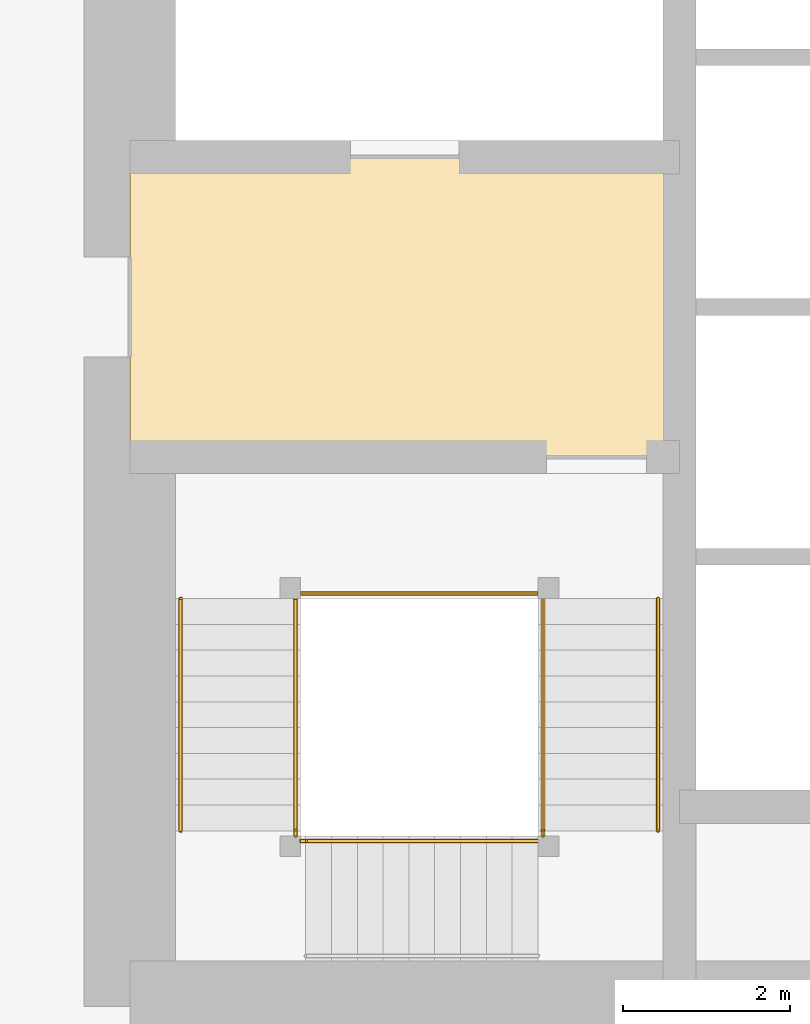
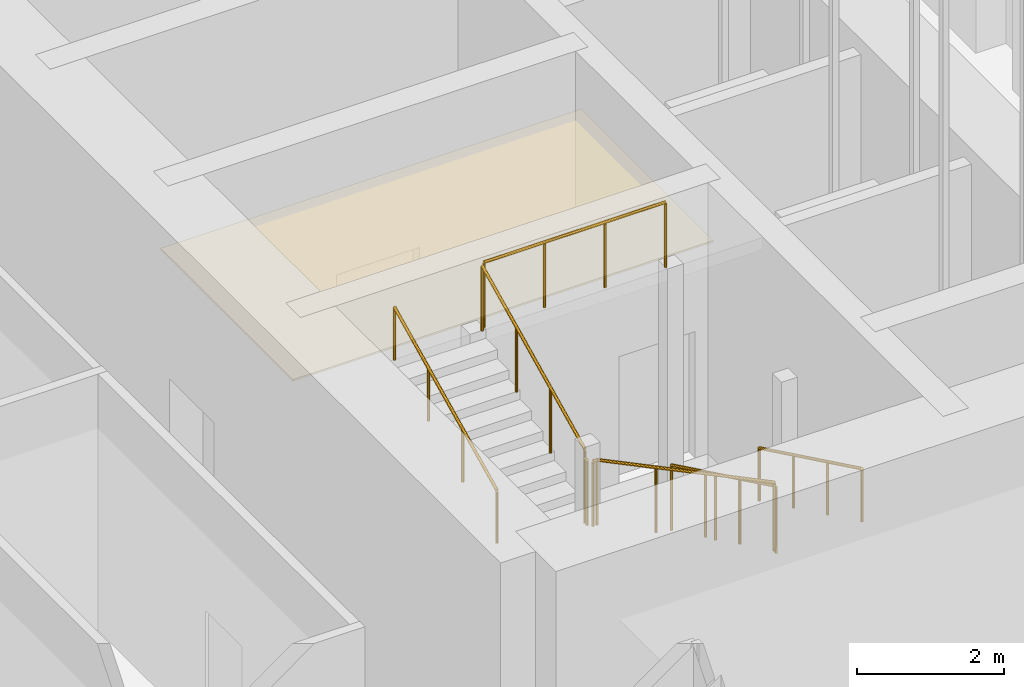
# One storey, part 20 of 39: 9 railings, 1 covering.
"""IFC4 building model written with IfcOpenShell, lengths in metres."""

from ifc_helpers import new_model, si_unit, direction, frame, origin, origin_2d, place, context, subcontext, project, spatial, polyline, circle, outline, extrude, material, layer, layer_set, type_object, element, save


model = new_model("IFC4")

# Units and contexts
model_context = context("Model", 3, precision=1e-05, world=origin(), true_north=direction((0.0, 1.0)))
body_context = subcontext(model_context, "Body", "Model", "MODEL_VIEW")
ifc_project = project(units=[si_unit("LENGTHUNIT", "METRE"), si_unit("AREAUNIT", "SQUARE_METRE"), si_unit("VOLUMEUNIT", "CUBIC_METRE"), si_unit("PLANEANGLEUNIT", "RADIAN"), si_unit("MASSUNIT", "GRAM", prefix="KILO")], contexts=[model_context])

# Site, building, storey
site_placement = place(None, origin())
site = spatial("IfcSite", under=ifc_project, at=site_placement, CompositionType="ELEMENT")
building_placement = place(site_placement, origin())
building = spatial("IfcBuilding", under=site, at=building_placement, Name="Rekha Terrace Tower", CompositionType="ELEMENT")
storey_placement = place(building_placement, frame((0.0, 0.0, 245.60009765625)))
storey = spatial("IfcBuildingStorey", under=building, at=storey_placement, Name="L62", CompositionType="ELEMENT", Elevation=245.60009765625)

# Covering
ifc_material_1 = material(Name="Powder-coated aluminium pan", Category="aluminium")
ifc_layer = layer(ifc_material_1, 0.030029296875)
ifc_layer_set = layer_set([ifc_layer], Name="Powder-coated aluminium pan")
covering_type = type_object("IfcCoveringType", Name="CL3 300x1200 metal pan ceiling", PredefinedType="CEILING", material=ifc_layer_set)
covering_placement = place(storey_placement, frame((0.0, 0.0, 3.31982421875)))
element("IfcCovering", 1, at=covering_placement, inside=storey, type_object=covering_type, Name="Ceiling L62-FLB1", PredefinedType="CEILING", context=body_context, shape_type="SweptSolid", body=[
    extrude(outline(polyline([(31.800048828125, 31.199951171875), (25.199951171875, 31.199951171875), (25.199951171875, 27.60009765625), (31.800048828125, 27.60009765625), (31.800048828125, 31.199951171875)])), origin(), (0.0, 0.0, 1.0), 0.030029296875),
])

# Railings
ifc_material_2 = material(Name="Stainless steel balustrade", Category="steel")
railing_type_1 = type_object("IfcRailingType", Name="GR1 1100 stair guard", PredefinedType="GUARDRAIL", material=ifc_material_2)
railing_1_placement = place(storey_placement, frame((30.159912109375, 25.89990234375, 0.14990234375)))
element("IfcRailing", 2, at=railing_1_placement, inside=storey, type_object=railing_type_1, Name="Guard ST1 L62 flight 1", PredefinedType="GUARDRAIL", context=body_context, shape_type="SweptSolid", body=[
    extrude(circle(Radius=0.02392578125, at=origin_2d()), frame((0.0, 0.0, 1.076171875), z_axis=(0.0, -0.900134342929, 0.43561240189), x_axis=(1.0, 0.0, 0.0)), (0.0, 0.0, 1.0), 3.099365234375),
    extrude(circle(Radius=0.02099609375, at=origin_2d()), origin(), (0.0, 0.0, 1.0), 1.052001953125),
    extrude(circle(Radius=0.02099609375, at=origin_2d()), frame((0.0, -0.929931640625, 0.449951171875)), (0.0, 0.0, 1.0), 1.052001953125),
    extrude(circle(Radius=0.02099609375, at=origin_2d()), frame((0.0, -1.85986328125, 0.900146484375)), (0.0, 0.0, 1.0), 1.052001953125),
    extrude(circle(Radius=0.02099609375, at=origin_2d()), frame((0.0, -2.789794921875, 1.35009765625)), (0.0, 0.0, 1.0), 1.052001953125),
])
railing_2_placement = place(storey_placement, frame((30.10009765625, 22.989990234375, 1.64990234375)))
element("IfcRailing", 3, at=railing_2_placement, inside=storey, type_object=railing_type_1, Name="Guard ST1 L62 flight 2", PredefinedType="GUARDRAIL", context=body_context, shape_type="SweptSolid", body=[
    extrude(circle(Radius=0.02392578125, at=origin_2d()), frame((0.0, 0.0, 1.076171875), z_axis=(-0.90014928908, 0.0, 0.43558151633), x_axis=(0.0, -1.0, 0.0)), (0.0, 0.0, 1.0), 3.099609375),
    extrude(circle(Radius=0.02099609375, at=origin_2d()), origin(), (0.0, 0.0, 1.0), 1.052001953125),
    extrude(circle(Radius=0.02099609375, at=origin_2d()), frame((-0.929931640625, 0.0, 0.449951171875)), (0.0, 0.0, 1.0), 1.052001953125),
    extrude(circle(Radius=0.02099609375, at=origin_2d()), frame((-1.860107421875, 0.0, 0.900146484375)), (0.0, 0.0, 1.0), 1.052001953125),
    extrude(circle(Radius=0.02099609375, at=origin_2d()), frame((-2.7900390625, 0.0, 1.35009765625)), (0.0, 0.0, 1.0), 1.052001953125),
])
railing_3_placement = place(storey_placement, frame((27.18994140625, 23.110107421875, 3.14990234375)))
element("IfcRailing", 4, at=railing_3_placement, inside=storey, type_object=railing_type_1, Name="Guard ST1 L62 flight 3", PredefinedType="GUARDRAIL", context=body_context, shape_type="SweptSolid", body=[
    extrude(circle(Radius=0.02392578125, at=origin_2d()), frame((0.0, 0.0, 1.076171875), z_axis=(0.0, 0.900134342929, 0.43561240189), x_axis=(-1.0, 0.0, 0.0)), (0.0, 0.0, 1.0), 3.099365234375),
    extrude(circle(Radius=0.02099609375, at=origin_2d()), origin(), (0.0, 0.0, 1.0), 1.052001953125),
    extrude(circle(Radius=0.02099609375, at=origin_2d()), frame((0.0, 0.929931640625, 0.449951171875)), (0.0, 0.0, 1.0), 1.052001953125),
    extrude(circle(Radius=0.02099609375, at=origin_2d()), frame((0.0, 1.85986328125, 0.900146484375)), (0.0, 0.0, 1.0), 1.052001953125),
    extrude(circle(Radius=0.02099609375, at=origin_2d()), frame((0.0, 2.789794921875, 1.35009765625)), (0.0, 0.0, 1.0), 1.052001953125),
])
railing_4_placement = place(storey_placement, frame((30.159912109375, 23.110107421875, 1.5)))
element("IfcRailing", 5, at=railing_4_placement, inside=storey, type_object=railing_type_1, Name="Guard ST1 L62 landing 1", PredefinedType="GUARDRAIL", context=body_context, shape_type="SweptSolid", body=[
    extrude(circle(Radius=0.02392578125, at=origin_2d()), frame((0.0, 0.0, 1.076171875), z_axis=(0.0, -1.0, 0.0), x_axis=(1.0, 0.0, 0.0)), (0.0, 0.0, 1.0), 0.06005859375),
    extrude(circle(Radius=0.02099609375, at=origin_2d()), origin(), (0.0, 0.0, 1.0), 1.052001953125),
    extrude(circle(Radius=0.02099609375, at=origin_2d()), frame((0.0, -0.06005859375, 0.0)), (0.0, 0.0, 1.0), 1.052001953125),
])
railing_5_placement = place(storey_placement, frame((27.31005859375, 22.989990234375, 3.0)))
element("IfcRailing", 6, at=railing_5_placement, inside=storey, type_object=railing_type_1, Name="Guard ST1 L62 landing 2", PredefinedType="GUARDRAIL", context=body_context, shape_type="SweptSolid", body=[
    extrude(circle(Radius=0.02392578125, at=origin_2d()), frame((0.0, 0.0, 1.076171875), z_axis=(-1.0, 0.0, 0.0), x_axis=(0.0, -1.0, 0.0)), (0.0, 0.0, 1.0), 0.06005859375),
    extrude(circle(Radius=0.02099609375, at=origin_2d()), origin(), (0.0, 0.0, 1.0), 1.052001953125),
    extrude(circle(Radius=0.02099609375, at=origin_2d()), frame((-0.06005859375, 0.0, 0.0)), (0.0, 0.0, 1.0), 1.052001953125),
])
railing_6_placement = place(storey_placement, frame((27.18994140625, 23.110107421875, 3.0)))
element("IfcRailing", 7, at=railing_6_placement, inside=storey, type_object=railing_type_1, Name="Guard ST1 L62 landing 3", PredefinedType="GUARDRAIL", context=body_context, shape_type="SweptSolid", body=[
    extrude(circle(Radius=0.02392578125, at=origin_2d()), frame((0.0, 0.0, 1.076171875), z_axis=(0.0, -1.0, 0.0), x_axis=(1.0, 0.0, 0.0)), (0.0, 0.0, 1.0), 0.06005859375),
    extrude(circle(Radius=0.02099609375, at=origin_2d()), origin(), (0.0, 0.0, 1.0), 1.052001953125),
    extrude(circle(Radius=0.02099609375, at=origin_2d()), frame((0.0, -0.06005859375, 0.0)), (0.0, 0.0, 1.0), 1.052001953125),
])
railing_7_placement = place(storey_placement, frame((30.10009765625, 25.9599609375, 4.5)))
element("IfcRailing", 8, at=railing_7_placement, inside=storey, type_object=railing_type_1, Name="Guard ST1 L62 landing 4", PredefinedType="GUARDRAIL", context=body_context, shape_type="SweptSolid", body=[
    extrude(circle(Radius=0.02392578125, at=origin_2d()), frame((0.0, 0.0, 1.076171875), z_axis=(-1.0, 0.0, 0.0), x_axis=(0.0, -1.0, 0.0)), (0.0, 0.0, 1.0), 2.85009765625),
    extrude(circle(Radius=0.02099609375, at=origin_2d()), origin(), (0.0, 0.0, 1.0), 1.052001953125),
    extrude(circle(Radius=0.02099609375, at=origin_2d()), frame((-0.949951171875, 0.0, 0.0)), (0.0, 0.0, 1.0), 1.052001953125),
    extrude(circle(Radius=0.02099609375, at=origin_2d()), frame((-1.900146484375, 0.0, 0.0)), (0.0, 0.0, 1.0), 1.052001953125),
    extrude(circle(Radius=0.02099609375, at=origin_2d()), frame((-2.85009765625, 0.0, 0.0)), (0.0, 0.0, 1.0), 1.052001953125),
])
ifc_material_3 = material(Name="Stainless steel tube", Category="steel")
railing_type_2 = type_object("IfcRailingType", Name="HR1 900 stair handrail", PredefinedType="HANDRAIL", material=ifc_material_3)
railing_8_placement = place(storey_placement, frame((31.5400390625, 25.89990234375, 0.14990234375)))
element("IfcRailing", 9, at=railing_8_placement, inside=storey, type_object=railing_type_2, Name="Handrail ST1 L62 flight 1", PredefinedType="HANDRAIL", context=body_context, shape_type="SweptSolid", body=[
    extrude(circle(Radius=0.02392578125, at=origin_2d()), frame((0.0, 0.0, 0.8759765625), z_axis=(0.0, -0.900134342929, 0.43561240189), x_axis=(1.0, 0.0, 0.0)), (0.0, 0.0, 1.0), 3.099365234375),
    extrude(circle(Radius=0.02099609375, at=origin_2d()), origin(), (0.0, 0.0, 1.0), 0.851806640625),
    extrude(circle(Radius=0.02099609375, at=origin_2d()), frame((0.0, -0.929931640625, 0.449951171875)), (0.0, 0.0, 1.0), 0.851806640625),
    extrude(circle(Radius=0.02099609375, at=origin_2d()), frame((0.0, -1.85986328125, 0.900146484375)), (0.0, 0.0, 1.0), 0.851806640625),
    extrude(circle(Radius=0.02099609375, at=origin_2d()), frame((0.0, -2.789794921875, 1.35009765625)), (0.0, 0.0, 1.0), 0.851806640625),
])
railing_9_placement = place(storey_placement, frame((25.81005859375, 23.110107421875, 3.14990234375)))
element("IfcRailing", 10, at=railing_9_placement, inside=storey, type_object=railing_type_2, Name="Handrail ST1 L62 flight 3", PredefinedType="HANDRAIL", context=body_context, shape_type="SweptSolid", body=[
    extrude(circle(Radius=0.02392578125, at=origin_2d()), frame((0.0, 0.0, 0.8759765625), z_axis=(0.0, 0.900134342929, 0.43561240189), x_axis=(-1.0, 0.0, 0.0)), (0.0, 0.0, 1.0), 3.099365234375),
    extrude(circle(Radius=0.02099609375, at=origin_2d()), origin(), (0.0, 0.0, 1.0), 0.851806640625),
    extrude(circle(Radius=0.02099609375, at=origin_2d()), frame((0.0, 0.929931640625, 0.449951171875)), (0.0, 0.0, 1.0), 0.851806640625),
    extrude(circle(Radius=0.02099609375, at=origin_2d()), frame((0.0, 1.85986328125, 0.900146484375)), (0.0, 0.0, 1.0), 0.851806640625),
    extrude(circle(Radius=0.02099609375, at=origin_2d()), frame((0.0, 2.789794921875, 1.35009765625)), (0.0, 0.0, 1.0), 0.851806640625),
])

save(model, "model.ifc")
